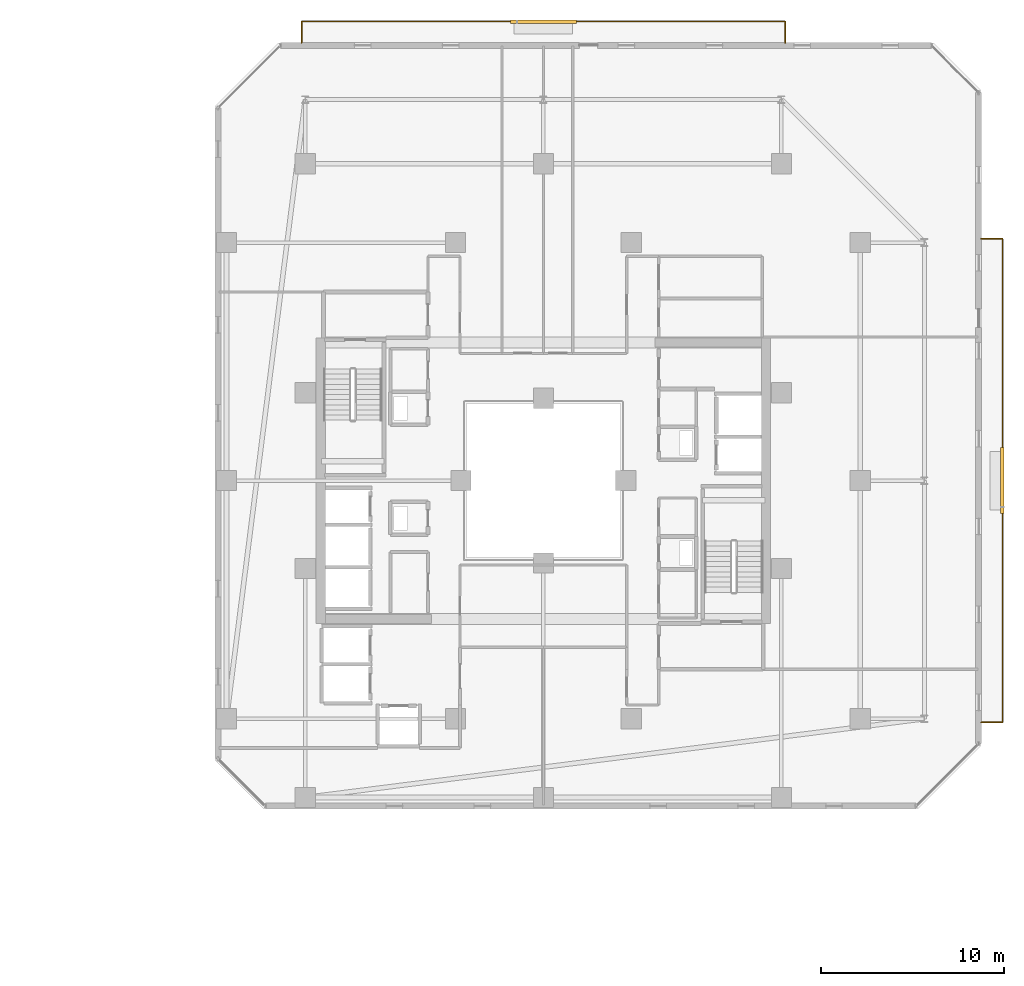
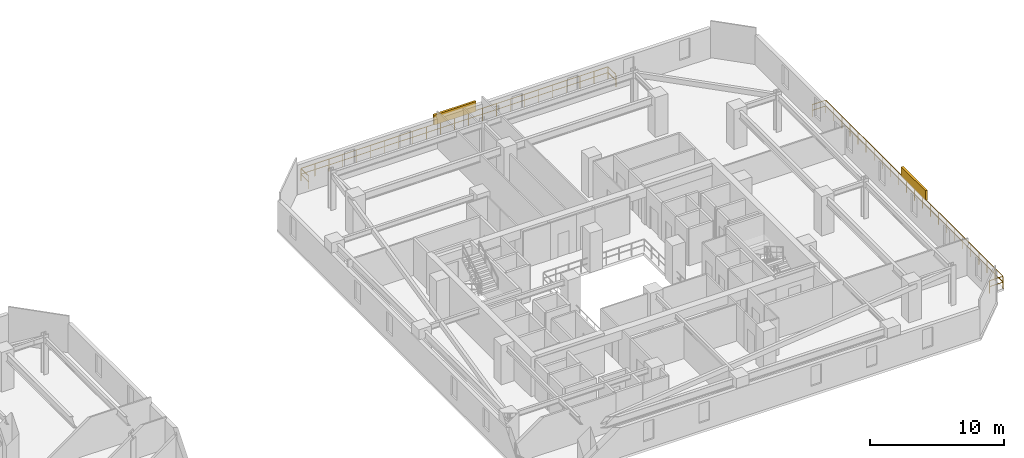
# One storey, part 33 of 33: 2 railings, 2 shading devices.
"""IFC4 building model written with IfcOpenShell, lengths in metres."""

from ifc_helpers import new_model, si_unit, direction, frame, origin, origin_2d, place, context, subcontext, project, spatial, rectangle, extrude, material, type_object, element, save


model = new_model("IFC4")

# Units and contexts
model_context = context("Model", 3, precision=1e-05, world=origin(), true_north=direction((0.0, 1.0)))
body_context = subcontext(model_context, "Body", "Model", "MODEL_VIEW")
ifc_project = project(units=[si_unit("LENGTHUNIT", "METRE"), si_unit("AREAUNIT", "SQUARE_METRE"), si_unit("VOLUMEUNIT", "CUBIC_METRE"), si_unit("PLANEANGLEUNIT", "RADIAN"), si_unit("MASSUNIT", "GRAM", prefix="KILO")], contexts=[model_context])

# Site, building, storey
site_placement = place(None, origin())
site = spatial("IfcSite", under=ifc_project, at=site_placement, CompositionType="ELEMENT")
building_placement = place(site_placement, origin())
building = spatial("IfcBuilding", under=site, at=building_placement, Name="Thornwick Lancets Civic Towers", CompositionType="ELEMENT")
storey_placement = place(building_placement, frame((0.0, 0.0, 159.89990234375)))
storey = spatial("IfcBuildingStorey", under=building, at=storey_placement, Name="L42", CompositionType="ELEMENT", Elevation=159.89990234375)

# Railings
ifc_material_1 = material(Name="Terracotta-capped laminated glass balustrade S355", Category="masonry")
railing_type = type_object("IfcRailingType", Name="RAIL_TERR_GUARD", PredefinedType="GUARDRAIL", material=ifc_material_1)
railing_1_placement = place(storey_placement, frame((112.39990234375, 13.800048828125, 0.0)))
element("IfcRailing", 1, at=railing_1_placement, inside=storey, type_object=railing_type, Name="L42 Tower B Balcony Guard E", PredefinedType="GUARDRAIL", context=body_context, shape_type="SweptSolid", body=[
    extrude(rectangle(XDim=0.048095703125, YDim=0.048095703125, at=origin_2d()), frame((0.0, 0.0, 1.1259765625), z_axis=(1.0, 0.0, 0.0), x_axis=(0.0, 1.0, 0.0)), (0.0, 0.0, 1.0), 1.138916015625),
    extrude(rectangle(XDim=0.0419921875, YDim=0.0419921875, at=origin_2d()), frame((0.03759765625, 0.0, 0.597900390625), z_axis=(1.0, 0.0, 0.0), x_axis=(0.0, 1.0, 0.0)), (0.0, 0.0, 1.0), 1.09521484375),
    extrude(rectangle(XDim=0.048095703125, YDim=0.048095703125, at=origin_2d()), frame((1.170166015625, 0.03125, 1.1259765625), z_axis=(0.0, 1.0, 0.0), x_axis=(-1.0, 0.0, 0.0)), (0.0, 0.0, 1.0), 26.33740234375),
    extrude(rectangle(XDim=0.0419921875, YDim=0.0419921875, at=origin_2d()), frame((1.170166015625, 0.03759765625, 0.597900390625), z_axis=(0.0, 1.0, 0.0), x_axis=(-1.0, 0.0, 0.0)), (0.0, 0.0, 1.0), 1.125),
    extrude(rectangle(XDim=0.0419921875, YDim=0.0419921875, at=origin_2d()), frame((1.170166015625, 1.237548828125, 0.597900390625), z_axis=(0.0, 1.0, 0.0), x_axis=(-1.0, 0.0, 0.0)), (0.0, 0.0, 1.0), 1.125),
    extrude(rectangle(XDim=0.0419921875, YDim=0.0419921875, at=origin_2d()), frame((1.170166015625, 2.4375, 0.597900390625), z_axis=(0.0, 1.0, 0.0), x_axis=(-1.0, 0.0, 0.0)), (0.0, 0.0, 1.0), 1.125),
    extrude(rectangle(XDim=0.0419921875, YDim=0.0419921875, at=origin_2d()), frame((1.170166015625, 3.637451171875, 0.597900390625), z_axis=(0.0, 1.0, 0.0), x_axis=(-1.0, 0.0, 0.0)), (0.0, 0.0, 1.0), 1.125),
    extrude(rectangle(XDim=0.0419921875, YDim=0.0419921875, at=origin_2d()), frame((1.170166015625, 4.83740234375, 0.597900390625), z_axis=(0.0, 1.0, 0.0), x_axis=(-1.0, 0.0, 0.0)), (0.0, 0.0, 1.0), 1.125),
    extrude(rectangle(XDim=0.0419921875, YDim=0.0419921875, at=origin_2d()), frame((1.170166015625, 6.037353515625, 0.597900390625), z_axis=(0.0, 1.0, 0.0), x_axis=(-1.0, 0.0, 0.0)), (0.0, 0.0, 1.0), 1.125),
    extrude(rectangle(XDim=0.0419921875, YDim=0.0419921875, at=origin_2d()), frame((1.170166015625, 7.237548828125, 0.597900390625), z_axis=(0.0, 1.0, 0.0), x_axis=(-1.0, 0.0, 0.0)), (0.0, 0.0, 1.0), 1.125),
    extrude(rectangle(XDim=0.0419921875, YDim=0.0419921875, at=origin_2d()), frame((1.170166015625, 8.4375, 0.597900390625), z_axis=(0.0, 1.0, 0.0), x_axis=(-1.0, 0.0, 0.0)), (0.0, 0.0, 1.0), 1.125),
    extrude(rectangle(XDim=0.0419921875, YDim=0.0419921875, at=origin_2d()), frame((1.170166015625, 9.637451171875, 0.597900390625), z_axis=(0.0, 1.0, 0.0), x_axis=(-1.0, 0.0, 0.0)), (0.0, 0.0, 1.0), 1.125),
    extrude(rectangle(XDim=0.0419921875, YDim=0.0419921875, at=origin_2d()), frame((1.170166015625, 10.83740234375, 0.597900390625), z_axis=(0.0, 1.0, 0.0), x_axis=(-1.0, 0.0, 0.0)), (0.0, 0.0, 1.0), 1.125),
    extrude(rectangle(XDim=0.0419921875, YDim=0.0419921875, at=origin_2d()), frame((1.170166015625, 12.037353515625, 0.597900390625), z_axis=(0.0, 1.0, 0.0), x_axis=(-1.0, 0.0, 0.0)), (0.0, 0.0, 1.0), 1.125),
    extrude(rectangle(XDim=0.0419921875, YDim=0.0419921875, at=origin_2d()), frame((1.170166015625, 13.237548828125, 0.597900390625), z_axis=(0.0, 1.0, 0.0), x_axis=(-1.0, 0.0, 0.0)), (0.0, 0.0, 1.0), 1.125),
    extrude(rectangle(XDim=0.0419921875, YDim=0.0419921875, at=origin_2d()), frame((1.170166015625, 14.4375, 0.597900390625), z_axis=(0.0, 1.0, 0.0), x_axis=(-1.0, 0.0, 0.0)), (0.0, 0.0, 1.0), 1.125),
    extrude(rectangle(XDim=0.0419921875, YDim=0.0419921875, at=origin_2d()), frame((1.170166015625, 15.637451171875, 0.597900390625), z_axis=(0.0, 1.0, 0.0), x_axis=(-1.0, 0.0, 0.0)), (0.0, 0.0, 1.0), 1.125),
    extrude(rectangle(XDim=0.0419921875, YDim=0.0419921875, at=origin_2d()), frame((1.170166015625, 16.83740234375, 0.597900390625), z_axis=(0.0, 1.0, 0.0), x_axis=(-1.0, 0.0, 0.0)), (0.0, 0.0, 1.0), 1.125),
    extrude(rectangle(XDim=0.0419921875, YDim=0.0419921875, at=origin_2d()), frame((1.170166015625, 18.037353515625, 0.597900390625), z_axis=(0.0, 1.0, 0.0), x_axis=(-1.0, 0.0, 0.0)), (0.0, 0.0, 1.0), 1.125),
    extrude(rectangle(XDim=0.0419921875, YDim=0.0419921875, at=origin_2d()), frame((1.170166015625, 19.2373046875, 0.597900390625), z_axis=(0.0, 1.0, 0.0), x_axis=(-1.0, 0.0, 0.0)), (0.0, 0.0, 1.0), 1.125),
    extrude(rectangle(XDim=0.0419921875, YDim=0.0419921875, at=origin_2d()), frame((1.170166015625, 20.4375, 0.597900390625), z_axis=(0.0, 1.0, 0.0), x_axis=(-1.0, 0.0, 0.0)), (0.0, 0.0, 1.0), 1.125),
    extrude(rectangle(XDim=0.0419921875, YDim=0.0419921875, at=origin_2d()), frame((1.170166015625, 21.637451171875, 0.597900390625), z_axis=(0.0, 1.0, 0.0), x_axis=(-1.0, 0.0, 0.0)), (0.0, 0.0, 1.0), 1.125),
    extrude(rectangle(XDim=0.0419921875, YDim=0.0419921875, at=origin_2d()), frame((1.170166015625, 22.83740234375, 0.597900390625), z_axis=(0.0, 1.0, 0.0), x_axis=(-1.0, 0.0, 0.0)), (0.0, 0.0, 1.0), 1.125),
    extrude(rectangle(XDim=0.0419921875, YDim=0.0419921875, at=origin_2d()), frame((1.170166015625, 24.037353515625, 0.597900390625), z_axis=(0.0, 1.0, 0.0), x_axis=(-1.0, 0.0, 0.0)), (0.0, 0.0, 1.0), 1.125),
    extrude(rectangle(XDim=0.0419921875, YDim=0.0419921875, at=origin_2d()), frame((1.170166015625, 25.2373046875, 0.597900390625), z_axis=(0.0, 1.0, 0.0), x_axis=(-1.0, 0.0, 0.0)), (0.0, 0.0, 1.0), 1.125),
    extrude(rectangle(XDim=0.048095703125, YDim=0.048095703125, at=origin_2d()), frame((1.138916015625, 26.39990234375, 1.1259765625), z_axis=(-1.0, 0.0, 0.0), x_axis=(0.0, -1.0, 0.0)), (0.0, 0.0, 1.0), 1.138916015625),
    extrude(rectangle(XDim=0.0419921875, YDim=0.0419921875, at=origin_2d()), frame((1.132568359375, 26.39990234375, 0.597900390625), z_axis=(-1.0, 0.0, 0.0), x_axis=(0.0, -1.0, 0.0)), (0.0, 0.0, 1.0), 1.09521484375),
    extrude(rectangle(XDim=0.0419921875, YDim=0.0419921875, at=origin_2d()), origin(), (0.0, 0.0, 1.0), 1.095703125),
    extrude(rectangle(XDim=0.0419921875, YDim=0.0419921875, at=origin_2d()), frame((1.170166015625, 0.0, 0.0)), (0.0, 0.0, 1.0), 1.095703125),
    extrude(rectangle(XDim=0.0419921875, YDim=0.0419921875, at=origin_2d()), frame((1.170166015625, 1.199951171875, 0.0)), (0.0, 0.0, 1.0), 1.095703125),
    extrude(rectangle(XDim=0.0419921875, YDim=0.0419921875, at=origin_2d()), frame((1.170166015625, 2.39990234375, 0.0)), (0.0, 0.0, 1.0), 1.095703125),
    extrude(rectangle(XDim=0.0419921875, YDim=0.0419921875, at=origin_2d()), frame((1.170166015625, 3.60009765625, 0.0)), (0.0, 0.0, 1.0), 1.095703125),
    extrude(rectangle(XDim=0.0419921875, YDim=0.0419921875, at=origin_2d()), frame((1.170166015625, 4.800048828125, 0.0)), (0.0, 0.0, 1.0), 1.095703125),
    extrude(rectangle(XDim=0.0419921875, YDim=0.0419921875, at=origin_2d()), frame((1.170166015625, 6.0, 0.0)), (0.0, 0.0, 1.0), 1.095703125),
    extrude(rectangle(XDim=0.0419921875, YDim=0.0419921875, at=origin_2d()), frame((1.170166015625, 7.199951171875, 0.0)), (0.0, 0.0, 1.0), 1.095703125),
    extrude(rectangle(XDim=0.0419921875, YDim=0.0419921875, at=origin_2d()), frame((1.170166015625, 8.39990234375, 0.0)), (0.0, 0.0, 1.0), 1.095703125),
    extrude(rectangle(XDim=0.0419921875, YDim=0.0419921875, at=origin_2d()), frame((1.170166015625, 9.599853515625, 0.0)), (0.0, 0.0, 1.0), 1.095703125),
    extrude(rectangle(XDim=0.0419921875, YDim=0.0419921875, at=origin_2d()), frame((1.170166015625, 10.800048828125, 0.0)), (0.0, 0.0, 1.0), 1.095703125),
    extrude(rectangle(XDim=0.0419921875, YDim=0.0419921875, at=origin_2d()), frame((1.170166015625, 12.0, 0.0)), (0.0, 0.0, 1.0), 1.095703125),
    extrude(rectangle(XDim=0.0419921875, YDim=0.0419921875, at=origin_2d()), frame((1.170166015625, 13.199951171875, 0.0)), (0.0, 0.0, 1.0), 1.095703125),
    extrude(rectangle(XDim=0.0419921875, YDim=0.0419921875, at=origin_2d()), frame((1.170166015625, 14.39990234375, 0.0)), (0.0, 0.0, 1.0), 1.095703125),
    extrude(rectangle(XDim=0.0419921875, YDim=0.0419921875, at=origin_2d()), frame((1.170166015625, 15.599853515625, 0.0)), (0.0, 0.0, 1.0), 1.095703125),
    extrude(rectangle(XDim=0.0419921875, YDim=0.0419921875, at=origin_2d()), frame((1.170166015625, 16.800048828125, 0.0)), (0.0, 0.0, 1.0), 1.095703125),
    extrude(rectangle(XDim=0.0419921875, YDim=0.0419921875, at=origin_2d()), frame((1.170166015625, 18.0, 0.0)), (0.0, 0.0, 1.0), 1.095703125),
    extrude(rectangle(XDim=0.0419921875, YDim=0.0419921875, at=origin_2d()), frame((1.170166015625, 19.199951171875, 0.0)), (0.0, 0.0, 1.0), 1.095703125),
    extrude(rectangle(XDim=0.0419921875, YDim=0.0419921875, at=origin_2d()), frame((1.170166015625, 20.39990234375, 0.0)), (0.0, 0.0, 1.0), 1.095703125),
    extrude(rectangle(XDim=0.0419921875, YDim=0.0419921875, at=origin_2d()), frame((1.170166015625, 21.599853515625, 0.0)), (0.0, 0.0, 1.0), 1.095703125),
    extrude(rectangle(XDim=0.0419921875, YDim=0.0419921875, at=origin_2d()), frame((1.170166015625, 22.7998046875, 0.0)), (0.0, 0.0, 1.0), 1.095703125),
    extrude(rectangle(XDim=0.0419921875, YDim=0.0419921875, at=origin_2d()), frame((1.170166015625, 24.0, 0.0)), (0.0, 0.0, 1.0), 1.095703125),
    extrude(rectangle(XDim=0.0419921875, YDim=0.0419921875, at=origin_2d()), frame((1.170166015625, 25.199951171875, 0.0)), (0.0, 0.0, 1.0), 1.095703125),
    extrude(rectangle(XDim=0.0419921875, YDim=0.0419921875, at=origin_2d()), frame((1.170166015625, 26.39990234375, 0.0)), (0.0, 0.0, 1.0), 1.095703125),
    extrude(rectangle(XDim=0.0419921875, YDim=0.0419921875, at=origin_2d()), frame((0.0, 26.39990234375, 0.0)), (0.0, 0.0, 1.0), 1.095703125),
])
railing_2_placement = place(storey_placement, frame((75.300048828125, 50.89990234375, 0.0)))
element("IfcRailing", 2, at=railing_2_placement, inside=storey, type_object=railing_type, Name="L42 Tower B Balcony Guard N", PredefinedType="GUARDRAIL", context=body_context, shape_type="SweptSolid", body=[
    extrude(rectangle(XDim=0.048095703125, YDim=0.048095703125, at=origin_2d()), frame((0.0, 0.0, 1.1259765625), z_axis=(0.0, 1.0, 0.0), x_axis=(-1.0, 0.0, 0.0)), (0.0, 0.0, 1.0), 1.138916015625),
    extrude(rectangle(XDim=0.0419921875, YDim=0.0419921875, at=origin_2d()), frame((0.0, 0.03759765625, 0.597900390625), z_axis=(0.0, 1.0, 0.0), x_axis=(-1.0, 0.0, 0.0)), (0.0, 0.0, 1.0), 1.09521484375),
    extrude(rectangle(XDim=0.048095703125, YDim=0.048095703125, at=origin_2d()), frame((0.03125, 1.170166015625, 1.1259765625), z_axis=(1.0, 0.0, 0.0), x_axis=(0.0, 1.0, 0.0)), (0.0, 0.0, 1.0), 26.33740234375),
    extrude(rectangle(XDim=0.0419921875, YDim=0.0419921875, at=origin_2d()), frame((0.03759765625, 1.170166015625, 0.597900390625), z_axis=(1.0, 0.0, 0.0), x_axis=(0.0, 1.0, 0.0)), (0.0, 0.0, 1.0), 1.125),
    extrude(rectangle(XDim=0.0419921875, YDim=0.0419921875, at=origin_2d()), frame((1.237548828125, 1.170166015625, 0.597900390625), z_axis=(1.0, 0.0, 0.0), x_axis=(0.0, 1.0, 0.0)), (0.0, 0.0, 1.0), 1.125),
    extrude(rectangle(XDim=0.0419921875, YDim=0.0419921875, at=origin_2d()), frame((2.4375, 1.170166015625, 0.597900390625), z_axis=(1.0, 0.0, 0.0), x_axis=(0.0, 1.0, 0.0)), (0.0, 0.0, 1.0), 1.125),
    extrude(rectangle(XDim=0.0419921875, YDim=0.0419921875, at=origin_2d()), frame((3.637451171875, 1.170166015625, 0.597900390625), z_axis=(1.0, 0.0, 0.0), x_axis=(0.0, 1.0, 0.0)), (0.0, 0.0, 1.0), 1.125),
    extrude(rectangle(XDim=0.0419921875, YDim=0.0419921875, at=origin_2d()), frame((4.83740234375, 1.170166015625, 0.597900390625), z_axis=(1.0, 0.0, 0.0), x_axis=(0.0, 1.0, 0.0)), (0.0, 0.0, 1.0), 1.125),
    extrude(rectangle(XDim=0.0419921875, YDim=0.0419921875, at=origin_2d()), frame((6.037353515625, 1.170166015625, 0.597900390625), z_axis=(1.0, 0.0, 0.0), x_axis=(0.0, 1.0, 0.0)), (0.0, 0.0, 1.0), 1.125),
    extrude(rectangle(XDim=0.0419921875, YDim=0.0419921875, at=origin_2d()), frame((7.237548828125, 1.170166015625, 0.597900390625), z_axis=(1.0, 0.0, 0.0), x_axis=(0.0, 1.0, 0.0)), (0.0, 0.0, 1.0), 1.125),
    extrude(rectangle(XDim=0.0419921875, YDim=0.0419921875, at=origin_2d()), frame((8.4375, 1.170166015625, 0.597900390625), z_axis=(1.0, 0.0, 0.0), x_axis=(0.0, 1.0, 0.0)), (0.0, 0.0, 1.0), 1.125),
    extrude(rectangle(XDim=0.0419921875, YDim=0.0419921875, at=origin_2d()), frame((9.637451171875, 1.170166015625, 0.597900390625), z_axis=(1.0, 0.0, 0.0), x_axis=(0.0, 1.0, 0.0)), (0.0, 0.0, 1.0), 1.125),
    extrude(rectangle(XDim=0.0419921875, YDim=0.0419921875, at=origin_2d()), frame((10.83740234375, 1.170166015625, 0.597900390625), z_axis=(1.0, 0.0, 0.0), x_axis=(0.0, 1.0, 0.0)), (0.0, 0.0, 1.0), 1.125),
    extrude(rectangle(XDim=0.0419921875, YDim=0.0419921875, at=origin_2d()), frame((12.037353515625, 1.170166015625, 0.597900390625), z_axis=(1.0, 0.0, 0.0), x_axis=(0.0, 1.0, 0.0)), (0.0, 0.0, 1.0), 1.125),
    extrude(rectangle(XDim=0.0419921875, YDim=0.0419921875, at=origin_2d()), frame((13.237548828125, 1.170166015625, 0.597900390625), z_axis=(1.0, 0.0, 0.0), x_axis=(0.0, 1.0, 0.0)), (0.0, 0.0, 1.0), 1.125),
    extrude(rectangle(XDim=0.0419921875, YDim=0.0419921875, at=origin_2d()), frame((14.4375, 1.170166015625, 0.597900390625), z_axis=(1.0, 0.0, 0.0), x_axis=(0.0, 1.0, 0.0)), (0.0, 0.0, 1.0), 1.125),
    extrude(rectangle(XDim=0.0419921875, YDim=0.0419921875, at=origin_2d()), frame((15.637451171875, 1.170166015625, 0.597900390625), z_axis=(1.0, 0.0, 0.0), x_axis=(0.0, 1.0, 0.0)), (0.0, 0.0, 1.0), 1.125),
    extrude(rectangle(XDim=0.0419921875, YDim=0.0419921875, at=origin_2d()), frame((16.83740234375, 1.170166015625, 0.597900390625), z_axis=(1.0, 0.0, 0.0), x_axis=(0.0, 1.0, 0.0)), (0.0, 0.0, 1.0), 1.125),
    extrude(rectangle(XDim=0.0419921875, YDim=0.0419921875, at=origin_2d()), frame((18.037353515625, 1.170166015625, 0.597900390625), z_axis=(1.0, 0.0, 0.0), x_axis=(0.0, 1.0, 0.0)), (0.0, 0.0, 1.0), 1.125),
    extrude(rectangle(XDim=0.0419921875, YDim=0.0419921875, at=origin_2d()), frame((19.2373046875, 1.170166015625, 0.597900390625), z_axis=(1.0, 0.0, 0.0), x_axis=(0.0, 1.0, 0.0)), (0.0, 0.0, 1.0), 1.125),
    extrude(rectangle(XDim=0.0419921875, YDim=0.0419921875, at=origin_2d()), frame((20.4375, 1.170166015625, 0.597900390625), z_axis=(1.0, 0.0, 0.0), x_axis=(0.0, 1.0, 0.0)), (0.0, 0.0, 1.0), 1.125),
    extrude(rectangle(XDim=0.0419921875, YDim=0.0419921875, at=origin_2d()), frame((21.637451171875, 1.170166015625, 0.597900390625), z_axis=(1.0, 0.0, 0.0), x_axis=(0.0, 1.0, 0.0)), (0.0, 0.0, 1.0), 1.125),
    extrude(rectangle(XDim=0.0419921875, YDim=0.0419921875, at=origin_2d()), frame((22.83740234375, 1.170166015625, 0.597900390625), z_axis=(1.0, 0.0, 0.0), x_axis=(0.0, 1.0, 0.0)), (0.0, 0.0, 1.0), 1.125),
    extrude(rectangle(XDim=0.0419921875, YDim=0.0419921875, at=origin_2d()), frame((24.037353515625, 1.170166015625, 0.597900390625), z_axis=(1.0, 0.0, 0.0), x_axis=(0.0, 1.0, 0.0)), (0.0, 0.0, 1.0), 1.125),
    extrude(rectangle(XDim=0.0419921875, YDim=0.0419921875, at=origin_2d()), frame((25.2373046875, 1.170166015625, 0.597900390625), z_axis=(1.0, 0.0, 0.0), x_axis=(0.0, 1.0, 0.0)), (0.0, 0.0, 1.0), 1.125),
    extrude(rectangle(XDim=0.048095703125, YDim=0.048095703125, at=origin_2d()), frame((26.39990234375, 1.138916015625, 1.1259765625), z_axis=(0.0, -1.0, 0.0), x_axis=(1.0, 0.0, 0.0)), (0.0, 0.0, 1.0), 1.138916015625),
    extrude(rectangle(XDim=0.0419921875, YDim=0.0419921875, at=origin_2d()), frame((26.39990234375, 1.132568359375, 0.597900390625), z_axis=(0.0, -1.0, 0.0), x_axis=(1.0, 0.0, 0.0)), (0.0, 0.0, 1.0), 1.09521484375),
    extrude(rectangle(XDim=0.0419921875, YDim=0.0419921875, at=origin_2d()), origin(), (0.0, 0.0, 1.0), 1.095703125),
    extrude(rectangle(XDim=0.0419921875, YDim=0.0419921875, at=origin_2d()), frame((0.0, 1.170166015625, 0.0)), (0.0, 0.0, 1.0), 1.095703125),
    extrude(rectangle(XDim=0.0419921875, YDim=0.0419921875, at=origin_2d()), frame((1.199951171875, 1.170166015625, 0.0)), (0.0, 0.0, 1.0), 1.095703125),
    extrude(rectangle(XDim=0.0419921875, YDim=0.0419921875, at=origin_2d()), frame((2.39990234375, 1.170166015625, 0.0)), (0.0, 0.0, 1.0), 1.095703125),
    extrude(rectangle(XDim=0.0419921875, YDim=0.0419921875, at=origin_2d()), frame((3.60009765625, 1.170166015625, 0.0)), (0.0, 0.0, 1.0), 1.095703125),
    extrude(rectangle(XDim=0.0419921875, YDim=0.0419921875, at=origin_2d()), frame((4.800048828125, 1.170166015625, 0.0)), (0.0, 0.0, 1.0), 1.095703125),
    extrude(rectangle(XDim=0.0419921875, YDim=0.0419921875, at=origin_2d()), frame((6.0, 1.170166015625, 0.0)), (0.0, 0.0, 1.0), 1.095703125),
    extrude(rectangle(XDim=0.0419921875, YDim=0.0419921875, at=origin_2d()), frame((7.199951171875, 1.170166015625, 0.0)), (0.0, 0.0, 1.0), 1.095703125),
    extrude(rectangle(XDim=0.0419921875, YDim=0.0419921875, at=origin_2d()), frame((8.39990234375, 1.170166015625, 0.0)), (0.0, 0.0, 1.0), 1.095703125),
    extrude(rectangle(XDim=0.0419921875, YDim=0.0419921875, at=origin_2d()), frame((9.599853515625, 1.170166015625, 0.0)), (0.0, 0.0, 1.0), 1.095703125),
    extrude(rectangle(XDim=0.0419921875, YDim=0.0419921875, at=origin_2d()), frame((10.800048828125, 1.170166015625, 0.0)), (0.0, 0.0, 1.0), 1.095703125),
    extrude(rectangle(XDim=0.0419921875, YDim=0.0419921875, at=origin_2d()), frame((12.0, 1.170166015625, 0.0)), (0.0, 0.0, 1.0), 1.095703125),
    extrude(rectangle(XDim=0.0419921875, YDim=0.0419921875, at=origin_2d()), frame((13.199951171875, 1.170166015625, 0.0)), (0.0, 0.0, 1.0), 1.095703125),
    extrude(rectangle(XDim=0.0419921875, YDim=0.0419921875, at=origin_2d()), frame((14.39990234375, 1.170166015625, 0.0)), (0.0, 0.0, 1.0), 1.095703125),
    extrude(rectangle(XDim=0.0419921875, YDim=0.0419921875, at=origin_2d()), frame((15.599853515625, 1.170166015625, 0.0)), (0.0, 0.0, 1.0), 1.095703125),
    extrude(rectangle(XDim=0.0419921875, YDim=0.0419921875, at=origin_2d()), frame((16.800048828125, 1.170166015625, 0.0)), (0.0, 0.0, 1.0), 1.095703125),
    extrude(rectangle(XDim=0.0419921875, YDim=0.0419921875, at=origin_2d()), frame((18.0, 1.170166015625, 0.0)), (0.0, 0.0, 1.0), 1.095703125),
    extrude(rectangle(XDim=0.0419921875, YDim=0.0419921875, at=origin_2d()), frame((19.199951171875, 1.170166015625, 0.0)), (0.0, 0.0, 1.0), 1.095703125),
    extrude(rectangle(XDim=0.0419921875, YDim=0.0419921875, at=origin_2d()), frame((20.39990234375, 1.170166015625, 0.0)), (0.0, 0.0, 1.0), 1.095703125),
    extrude(rectangle(XDim=0.0419921875, YDim=0.0419921875, at=origin_2d()), frame((21.599853515625, 1.170166015625, 0.0)), (0.0, 0.0, 1.0), 1.095703125),
    extrude(rectangle(XDim=0.0419921875, YDim=0.0419921875, at=origin_2d()), frame((22.7998046875, 1.170166015625, 0.0)), (0.0, 0.0, 1.0), 1.095703125),
    extrude(rectangle(XDim=0.0419921875, YDim=0.0419921875, at=origin_2d()), frame((24.0, 1.170166015625, 0.0)), (0.0, 0.0, 1.0), 1.095703125),
    extrude(rectangle(XDim=0.0419921875, YDim=0.0419921875, at=origin_2d()), frame((25.199951171875, 1.170166015625, 0.0)), (0.0, 0.0, 1.0), 1.095703125),
    extrude(rectangle(XDim=0.0419921875, YDim=0.0419921875, at=origin_2d()), frame((26.39990234375, 1.170166015625, 0.0)), (0.0, 0.0, 1.0), 1.095703125),
    extrude(rectangle(XDim=0.0419921875, YDim=0.0419921875, at=origin_2d()), frame((26.39990234375, 0.0, 0.0)), (0.0, 0.0, 1.0), 1.095703125),
])

# Shading devices
ifc_material_2 = material(Name="Extruded terracotta baguette solar screen", Category="masonry")
shading_device_type = type_object("IfcShadingDeviceType", Name="SHADE_BAGUETTE", PredefinedType="JALOUSIE", material=ifc_material_2)
for number, where, z_axis, x_axis, name in (
    (3, (113.56005859375, 27.0, 1.1201171875), (0.0, 0.0, 1.0), (0.0, 1.0, 0.0), "L42 Tower B Terracotta Baguette Screen E"),
    (4, (88.5, 52.06005859375, 1.1201171875), (0.0, 0.0, 1.0), (1.0, 0.0, 0.0), "L42 Tower B Terracotta Baguette Screen N"),
):
    element("IfcShadingDevice", number, at=place(storey_placement, frame(where, z_axis=z_axis, x_axis=x_axis)), inside=storey, type_object=shading_device_type, Name=name, PredefinedType="JALOUSIE", context=body_context, shape_type="SweptSolid", body=[
        extrude(rectangle(XDim=3.60009765625, YDim=0.179931640625, at=origin_2d()), origin(), (0.0, 0.0, 1.0), 0.89990234375),
    ])

save(model, "model.ifc")
